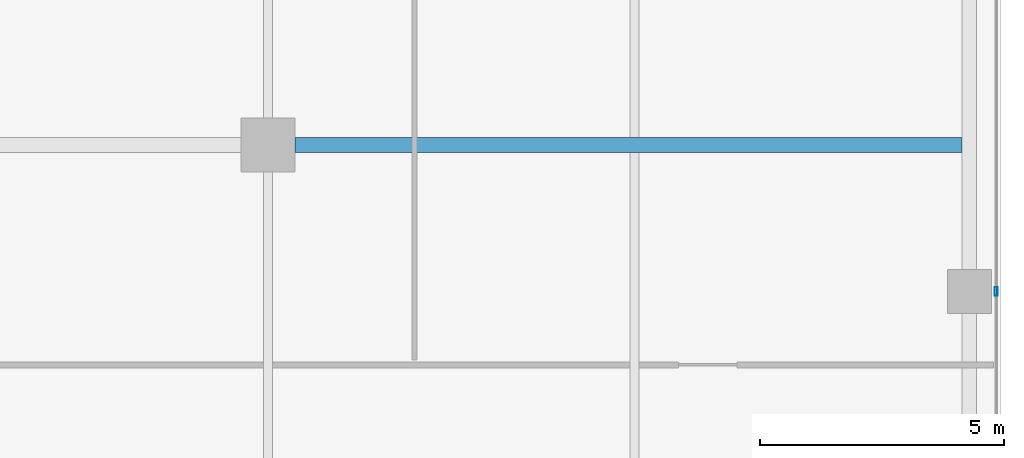
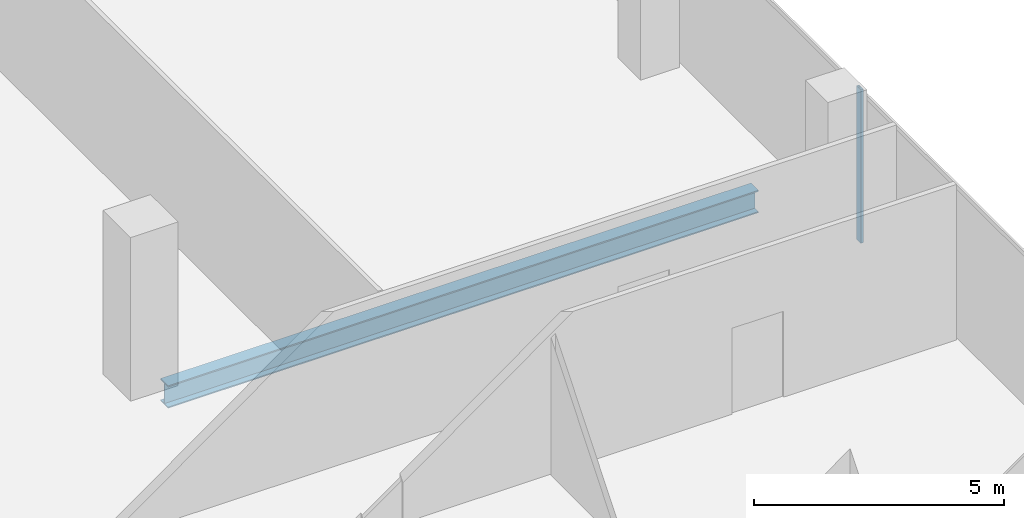
# One storey, part 12 of 35: 1 beam, 1 member, 1 element without a shape of its own.
"""IFC4 building model written with IfcOpenShell, lengths in metres."""

import ifcopenshell
import ifcopenshell.guid

model = None  # the IFC model being written
_history = None  # IfcOwnerHistory: only IFC2X3 demands one
_inside = {}  # id of a spatial element -> (the spatial element, [elements in it])
_under = {}  # id of a project, library or spatial element -> (it, [spatial elements below it])
_declared = {}  # id of a project -> (the project, [libraries it declares])
_typed = {}  # id of a type object -> (the type object, [elements of that type])
_made_of = {}  # id of a material, layer set ... -> (it, [elements and type objects made of it])


def new_model(schema):
    """Start an empty IFC model of exactly this schema.

    Asked for "IFC4X3", IfcOpenShell would pick the latest addendum, in which some entities
    have other attributes; the version numbers below select the first issue.
    IFC2X3 requires an IfcOwnerHistory on every rooted entity: one is made here for all.
    """
    global model, _history
    if schema == "IFC4X3":
        model = ifcopenshell.file(schema_version=(4, 3, 0, 0))
    else:
        model = ifcopenshell.file(schema=schema)
    _inside.clear()
    _under.clear()
    _declared.clear()
    _typed.clear()
    _made_of.clear()
    _history = None
    if model.schema == "IFC2X3":
        org = make("IfcOrganization", Name="unknown")
        user = make(
            "IfcPersonAndOrganization",
            ThePerson=make("IfcPerson", FamilyName="unknown"),
            TheOrganization=org,
        )
        app = make(
            "IfcApplication",
            ApplicationDeveloper=org,
            Version="unknown",
            ApplicationFullName="unknown",
            ApplicationIdentifier="unknown",
        )
        _history = make(
            "IfcOwnerHistory",
            OwningUser=user,
            OwningApplication=app,
            ChangeAction="ADDED",
            CreationDate=0,
        )
    return model


def make(cls, **values):
    """One entity of the class cls with the attributes given. An attribute that is None is left unset."""
    return model.create_entity(
        cls, **{name: value for name, value in values.items() if value is not None}
    )


def rooted(cls, **values):
    """An entity with a GlobalId (a new one), such as an element, a storey or a relation."""
    return make(cls, GlobalId=ifcopenshell.guid.new(), OwnerHistory=_history, **values)


def si_unit(unit_type, name, prefix=None):
    """IfcSIUnit, for example si_unit("LENGTHUNIT", "METRE", prefix="MILLI")."""
    return make("IfcSIUnit", UnitType=unit_type, Prefix=prefix, Name=name)


def assignment(units):
    """IfcUnitAssignment: the units of a project."""
    return None if units is None else make("IfcUnitAssignment", Units=units)


def point(xyz):
    """IfcCartesianPoint."""
    return None if xyz is None else make("IfcCartesianPoint", Coordinates=xyz)


def direction(xyz):
    """IfcDirection."""
    return None if xyz is None else make("IfcDirection", DirectionRatios=xyz)


def frame(location, z_axis=None, x_axis=None):
    """IfcAxis2Placement3D, a coordinate frame: its origin and axes. An axis left out is left unset."""
    return make(
        "IfcAxis2Placement3D",
        Location=point(location),
        Axis=direction(z_axis),
        RefDirection=direction(x_axis),
    )


def frame_2d(location, x_axis=None):
    """IfcAxis2Placement2D, a coordinate frame in the plane: its origin and x axis."""
    return make(
        "IfcAxis2Placement2D", Location=point(location), RefDirection=direction(x_axis)
    )


def origin():
    """The frame at (0, 0, 0) with its axes left unset."""
    return frame((0.0, 0.0, 0.0))


def origin_2d():
    """The frame at (0, 0) in the plane with its x axis left unset."""
    return frame_2d((0.0, 0.0))


def place(relative_to, where):
    """IfcLocalPlacement: puts the frame where relative to a parent placement (None: the world)."""
    return make(
        "IfcLocalPlacement", PlacementRelTo=relative_to, RelativePlacement=where
    )


def context(
    kind, dimensions, precision=None, world=None, true_north=None, identifier=None
):
    """IfcGeometricRepresentationContext, for example the 3D "Model" context."""
    return make(
        "IfcGeometricRepresentationContext",
        ContextIdentifier=identifier,
        ContextType=kind,
        CoordinateSpaceDimension=dimensions,
        Precision=precision,
        WorldCoordinateSystem=world,
        TrueNorth=true_north,
    )


def subcontext(parent, identifier, kind, view, scale=None):
    """IfcGeometricRepresentationSubContext, for example "Body" below "Model"."""
    return make(
        "IfcGeometricRepresentationSubContext",
        ContextIdentifier=identifier,
        ContextType=kind,
        ParentContext=parent,
        TargetScale=scale,
        TargetView=view,
    )


def project(units=None, contexts=None):
    """IfcProject with its units and contexts."""
    return rooted(
        "IfcProject",
        Name="project",
        RepresentationContexts=contexts,
        UnitsInContext=assignment(units),
    )


def spatial(cls, under=None, at=None, **own):
    """A site, building, storey or space (cls), placed at a placement, below another one or the project."""
    s = rooted(cls, ObjectPlacement=at, **own)
    if under is not None:
        _under.setdefault(under.id(), (under, []))[1].append(s)
    return s


def profile(cls, at=None, kind="AREA", **sizes):
    """A parametric profile (cls). Its sizes go by their IFC names, for example OverallWidth=200.0."""
    return make(cls, ProfileType=kind, Position=at, **sizes)


def hollow_rectangle(**sizes):
    """IfcRectangleHollowProfileDef."""
    return profile("IfcRectangleHollowProfileDef", **sizes)


def i_section(**sizes):
    """IfcIShapeProfileDef."""
    return profile("IfcIShapeProfileDef", **sizes)


def extrude(swept, where, along, depth):
    """IfcExtrudedAreaSolid: the profile swept, set in the frame where, extruded along a direction by depth."""
    return make(
        "IfcExtrudedAreaSolid",
        SweptArea=swept,
        Position=where,
        ExtrudedDirection=direction(along),
        Depth=depth,
    )


def shape(context_of_items, identifier, shape_type, items):
    """IfcShapeRepresentation: the items that make up one representation, for example the "Body"."""
    return make(
        "IfcShapeRepresentation",
        ContextOfItems=context_of_items,
        RepresentationIdentifier=identifier,
        RepresentationType=shape_type,
        Items=items,
    )


def source(mapping_origin, context_of_items, identifier, shape_type, items):
    """IfcRepresentationMap: a shape defined once, which mapped items show again and again."""
    return make(
        "IfcRepresentationMap",
        MappingOrigin=mapping_origin,
        MappedRepresentation=shape(context_of_items, identifier, shape_type, items),
    )


def transform(
    local_origin,
    x_axis=None,
    y_axis=None,
    z_axis=None,
    scale=None,
    scale2=None,
    scale3=None,
    uniform=True,
):
    """IfcCartesianTransformationOperator3D, or its non-uniform kind. x_axis, y_axis, z_axis: its Axis1, 2, 3."""
    if uniform:
        return make(
            "IfcCartesianTransformationOperator3D",
            Axis1=direction(x_axis),
            Axis2=direction(y_axis),
            LocalOrigin=point(local_origin),
            Scale=scale,
            Axis3=direction(z_axis),
        )
    return make(
        "IfcCartesianTransformationOperator3DnonUniform",
        Axis1=direction(x_axis),
        Axis2=direction(y_axis),
        LocalOrigin=point(local_origin),
        Scale=scale,
        Axis3=direction(z_axis),
        Scale2=scale2,
        Scale3=scale3,
    )


def mapped(mapping_source, mapping_target):
    """IfcMappedItem: shows the shape of a source again, moved by a transform."""
    return make(
        "IfcMappedItem", MappingSource=mapping_source, MappingTarget=mapping_target
    )


def material(Name=None, Category=None):
    """IfcMaterial."""
    return make("IfcMaterial", Name=Name, Category=Category)


def material_profile(
    of_material, cross_section, Name=None, Category=None, Priority=None
):
    """IfcMaterialProfile: a cross section and its material."""
    return make(
        "IfcMaterialProfile",
        Name=Name,
        Material=of_material,
        Profile=cross_section,
        Priority=Priority,
        Category=Category,
    )


def profile_set(profiles, Name=None, composite=None):
    """IfcMaterialProfileSet."""
    return make(
        "IfcMaterialProfileSet",
        Name=Name,
        MaterialProfiles=profiles,
        CompositeProfile=composite,
    )


def made_of(thing, what):
    """Note that an element or type object is made of a material, layer set ...; save() writes the relation."""
    if what is not None:
        _made_of.setdefault(what.id(), (what, []))[1].append(thing)
    return thing


def type_object(cls, material=None, **own):
    """A type object (cls), such as IfcWallType, which elements share."""
    return made_of(rooted(cls, **own), material)


def element(
    cls,
    number,
    at=None,
    inside=None,
    cuts=None,
    type_object=None,
    material=None,
    context=None,
    identifier="Body",
    shape_type=None,
    held_by="IfcProductDefinitionShape",
    body=None,
    shapes=None,
    **own,
):
    """One element of the class cls, such as IfcWall. Its Tag is "e" and its number.

    at: its placement. inside: the storey or other place that contains it. cuts: it is an
    opening in that element (IfcRelVoidsElement). A single representation is given by context,
    identifier, shape_type and body (its items); several are given by shapes. held_by: the class
    of the entity that holds the representations. save() writes the other relations.
    """
    e = rooted(cls, Tag="e%d" % number, ObjectPlacement=at, **own)
    if body is not None:
        shapes = [shape(context, identifier, shape_type, body)]
    if shapes is not None:
        e.Representation = make(held_by, Representations=shapes)
    if inside is not None:
        _inside.setdefault(inside.id(), (inside, []))[1].append(e)
    if cuts is not None:
        rooted(
            "IfcRelVoidsElement", RelatingBuildingElement=cuts, RelatedOpeningElement=e
        )
    if type_object is not None:
        _typed.setdefault(type_object.id(), (type_object, []))[1].append(e)
    return made_of(e, material)


def aggregate(whole, parts):
    """IfcRelAggregates: a whole, such as a stair, and the parts it consists of."""
    return rooted("IfcRelAggregates", RelatingObject=whole, RelatedObjects=parts)


def save(model, path):
    """Write the relations noted so far, then the file.

    IfcRelAggregates (storeys below a building ...), IfcRelContainedInSpatialStructure (elements
    in a storey), IfcRelDefinesByType, IfcRelAssociatesMaterial and IfcRelDeclares: one each for
    every whole, place, type object, material and project.
    """
    for whole, parts in _under.values():
        aggregate(whole, parts)
    for where, things in _inside.values():
        rooted(
            "IfcRelContainedInSpatialStructure",
            RelatedElements=things,
            RelatingStructure=where,
        )
    for kind, things in _typed.values():
        rooted("IfcRelDefinesByType", RelatedObjects=things, RelatingType=kind)
    for what, things in _made_of.values():
        rooted("IfcRelAssociatesMaterial", RelatedObjects=things, RelatingMaterial=what)
    for by, libraries in _declared.values():
        rooted("IfcRelDeclares", RelatingContext=by, RelatedDefinitions=libraries)
    model.write(path)


model = new_model("IFC4")

# Units and contexts
model_context = context("Model", 3, precision=1e-05, world=origin(), true_north=direction((0.0, 1.0)))
body_context = subcontext(model_context, "Body", "Model", "MODEL_VIEW")
ifc_project = project(units=[si_unit("LENGTHUNIT", "METRE"), si_unit("AREAUNIT", "SQUARE_METRE"), si_unit("VOLUMEUNIT", "CUBIC_METRE"), si_unit("PLANEANGLEUNIT", "RADIAN"), si_unit("MASSUNIT", "GRAM", prefix="KILO")], contexts=[model_context])

# Site, building, storey
site_placement = place(None, origin())
site = spatial("IfcSite", under=ifc_project, at=site_placement, CompositionType="ELEMENT")
building_placement = place(site_placement, origin())
building = spatial("IfcBuilding", under=site, at=building_placement, Name="Khomas Fold Tower", CompositionType="ELEMENT")
storey_placement = place(building_placement, frame((0.0, 0.0, 270.199951171875)))
storey = spatial("IfcBuildingStorey", under=building, at=storey_placement, Name="L61", CompositionType="ELEMENT", Elevation=270.199951171875)

# Beam
ifc_material_1 = material(Name="Steel S355", Category="steel")
ifc_material_profile_1 = material_profile(ifc_material_1, i_section(OverallWidth=0.300048828125, OverallDepth=0.550048828125, WebThickness=0.014892578125, FlangeThickness=0.029052734375, at=origin_2d()), Name="HE 550 B")
ifc_profile_set_1 = profile_set([ifc_material_profile_1], Name="Steel S355")
beam_type = type_object("IfcBeamType", Name="HE 550 B beam GB4", PredefinedType="BEAM", material=ifc_profile_set_1)
shared_shape_1 = source(origin(), body_context, "Body", "SweptSolid", [
    extrude(i_section(OverallWidth=0.300048828125, OverallDepth=0.550048828125, WebThickness=0.014892578125, FlangeThickness=0.029052734375, at=origin_2d()), origin(), (0.0, 0.0, 1.0), 13.64990234375),
])
beam_placement = place(storey_placement, frame((35.050048828125, 22.5, -0.52490234375), z_axis=(1.0, 0.0, 0.0), x_axis=(0.0, 1.0, 0.0)))
element("IfcBeam", 1, at=beam_placement, inside=storey, type_object=beam_type, Name="GB4", PredefinedType="BEAM", context=body_context, shape_type="MappedRepresentation", body=[
    mapped(shared_shape_1, transform((0.0, 0.0, 0.0))),
])

# Curtain wall, member
ifc_material_2 = material(Name="Aluminium framed double glazing", Category="aluminium")
curtain_wall_type = type_object("IfcCurtainWallType", Name="SK-Unitised clear-glass wall, office floors CW2", PredefinedType="NOTDEFINED", material=ifc_material_2)
curtain_wall_placement = place(storey_placement, origin())
curtain_wall = element("IfcCurtainWall", 2, at=curtain_wall_placement, inside=storey, type_object=curtain_wall_type, Name="CW2 run L61 03-0", PredefinedType="NOTDEFINED")
ifc_material_3 = material(Name="Aluminium", Category="aluminium")
ifc_material_profile_2 = material_profile(ifc_material_3, hollow_rectangle(XDim=0.06005859375, YDim=0.179931640625, WallThickness=0.00390625, at=origin_2d()), Name="SK-Unitised clear-glass wall, office floors mullion CW2-M")
ifc_profile_set_2 = profile_set([ifc_material_profile_2], Name="Aluminium")
member_type = type_object("IfcMemberType", Name="SK-Unitised clear-glass wall, office floors mullion CW2-M", PredefinedType="MULLION", material=ifc_profile_set_2)
shared_shape_2 = source(origin(), body_context, "Body", "SweptSolid", [
    extrude(hollow_rectangle(XDim=0.06005859375, YDim=0.179931640625, WallThickness=0.00390625, at=origin_2d()), origin(), (0.0, 0.0, 1.0), 3.75),
])
member_placement = place(storey_placement, frame((49.39990234375, 19.5, 0.0), z_axis=(0.0, 0.0, 1.0), x_axis=(-1.0, 0.0, 0.0)))
member = element("IfcMember", 3, at=member_placement, type_object=member_type, Name="CW2 mullion 3", PredefinedType="MULLION", context=body_context, shape_type="MappedRepresentation", body=[
    mapped(shared_shape_2, transform((0.0, 0.0, 0.0))),
])
aggregate(curtain_wall, [member])

save(model, "model.ifc")
